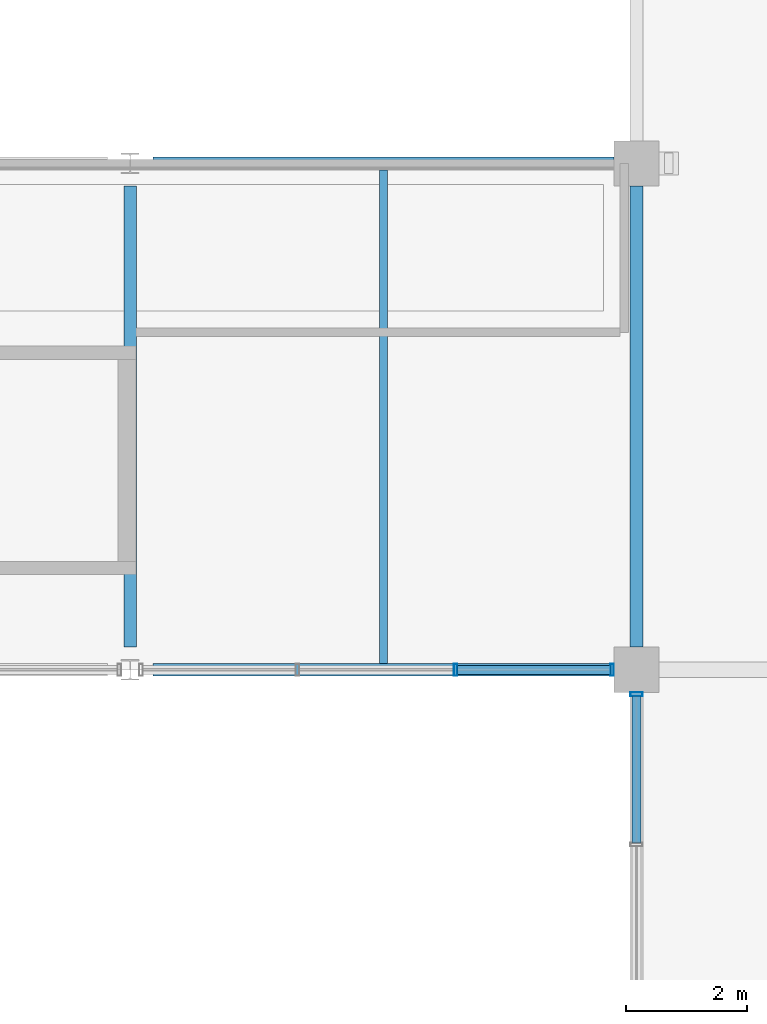
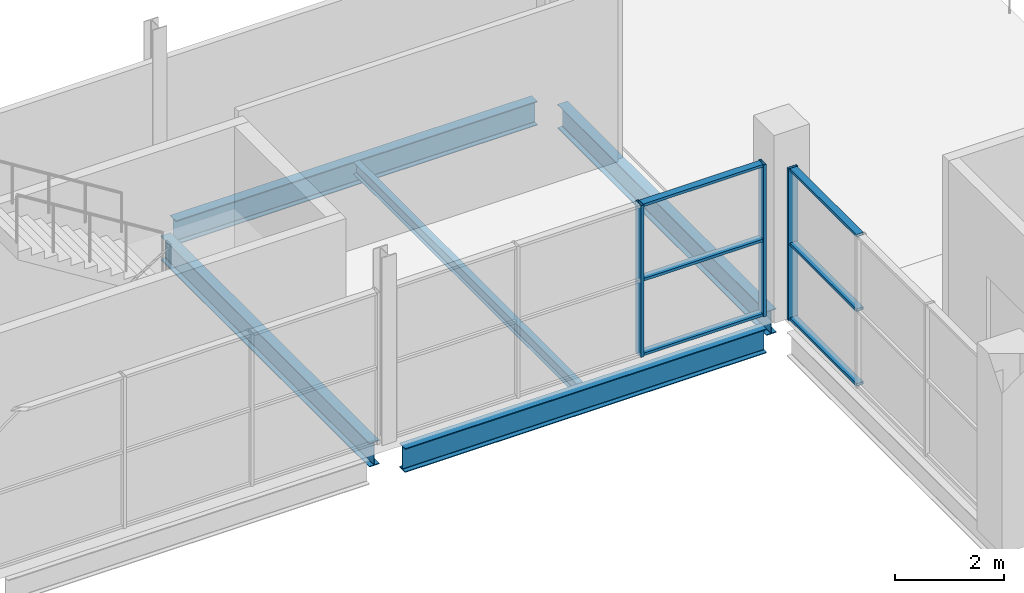
# One storey, part 26 of 161: 9 members, 5 beams, 2 elements without a shape of their own.
"""IFC4 building model written with IfcOpenShell, lengths in metres."""

from ifc_helpers import new_model, si_unit, direction, frame, origin, origin_2d, place, context, subcontext, project, spatial, hollow_rectangle, i_section, extrude, material, material_profile, profile_set, type_object, element, aggregate, save


model = new_model("IFC4")

# Units and contexts
model_context = context("Model", 3, precision=1e-05, world=origin(), true_north=direction((0.0, 1.0)))
body_context = subcontext(model_context, "Body", "Model", "MODEL_VIEW")
ifc_project = project(units=[si_unit("LENGTHUNIT", "METRE"), si_unit("AREAUNIT", "SQUARE_METRE"), si_unit("VOLUMEUNIT", "CUBIC_METRE"), si_unit("PLANEANGLEUNIT", "RADIAN"), si_unit("MASSUNIT", "GRAM", prefix="KILO"), si_unit("THERMODYNAMICTEMPERATUREUNIT", "KELVIN")], contexts=[model_context])

# Site, building, storey
site_placement = place(None, origin())
site = spatial("IfcSite", under=ifc_project, at=site_placement, CompositionType="ELEMENT")
building_placement = place(site_placement, origin())
building = spatial("IfcBuilding", under=site, at=building_placement, Name="Nduvali Passage Aquatics Centre", CompositionType="ELEMENT")
storey_placement = place(building_placement, frame((0.0, 0.0, 4.800048828125)))
storey = spatial("IfcBuildingStorey", under=building, at=storey_placement, Name="L01", CompositionType="ELEMENT", Elevation=4.800048828125)

# Curtain wall, member
ifc_material_1 = material(Name="Aluminium EN AW-6063 T6", Category="aluminium")
curtain_wall_type_1 = type_object("IfcCurtainWallType", Name="ENV-CW-HALL", PredefinedType="NOTDEFINED", material=ifc_material_1)
curtain_wall_1_placement = place(storey_placement, origin())
curtain_wall_1 = element("IfcCurtainWall", 1, at=curtain_wall_1_placement, inside=storey, type_object=curtain_wall_type_1, Name="L01 West Pool Hall Gallery Glazing 002", PredefinedType="NOTDEFINED")
ifc_material_profile_1 = material_profile(ifc_material_1, hollow_rectangle(XDim=0.06005859375, YDim=0.199951171875, WallThickness=0.00390625, at=origin_2d()), Name="ALU MULLION 60x200x4")
ifc_profile_set_1 = profile_set([ifc_material_profile_1], Name="Aluminium EN AW-6063 T6")
member_type_1 = type_object("IfcMemberType", Name="ENV-MEM-MUL80", PredefinedType="MULLION", material=ifc_profile_set_1)
member_1_placement = place(storey_placement, frame((25.199951171875, 33.195068359375, 0.0), z_axis=(0.0, 0.0, 1.0), x_axis=(0.0, 1.0, 0.0)))
member_1 = element("IfcMember", 2, at=member_1_placement, type_object=member_type_1, Name="West Pool Hall Gallery Glazing Mullion 4", PredefinedType="MULLION", context=body_context, shape_type="SweptSolid", body=[
    extrude(hollow_rectangle(XDim=0.06005859375, YDim=0.199951171875, WallThickness=0.00390625, at=origin_2d()), origin(), (0.0, 0.0, 1.0), 3.396484375),
])

# Curtain wall, members
curtain_wall_type_2 = type_object("IfcCurtainWallType", Name="ENV-CW-DIVE", PredefinedType="NOTDEFINED", material=ifc_material_1)
curtain_wall_2_placement = place(storey_placement, origin())
curtain_wall_2 = element("IfcCurtainWall", 3, at=curtain_wall_2_placement, inside=storey, type_object=curtain_wall_type_2, Name="L01 Diving Gallery Clerestory CW 151", PredefinedType="NOTDEFINED")
member_2_placement = place(storey_placement, frame((22.199951171875, 33.60009765625, 0.0), z_axis=(0.0, 0.0, 1.0), x_axis=(1.0, 0.0, 0.0)))
member_2 = element("IfcMember", 4, at=member_2_placement, type_object=member_type_1, Name="Diving Gallery Clerestory CW Mullion 3", PredefinedType="MULLION", context=body_context, shape_type="SweptSolid", body=[
    extrude(hollow_rectangle(XDim=0.06005859375, YDim=0.199951171875, WallThickness=0.00390625, at=origin_2d()), origin(), (0.0, 0.0, 1.0), 3.396484375),
])
member_3_placement = place(storey_placement, frame((24.794921875, 33.60009765625, 0.0), z_axis=(0.0, 0.0, 1.0), x_axis=(1.0, 0.0, 0.0)))
member_3 = element("IfcMember", 5, at=member_3_placement, type_object=member_type_1, Name="Diving Gallery Clerestory CW Mullion 4", PredefinedType="MULLION", context=body_context, shape_type="SweptSolid", body=[
    extrude(hollow_rectangle(XDim=0.06005859375, YDim=0.199951171875, WallThickness=0.00390625, at=origin_2d()), origin(), (0.0, 0.0, 1.0), 3.396484375),
])

# Member
ifc_material_profile_2 = material_profile(ifc_material_1, hollow_rectangle(XDim=0.14990234375, YDim=0.06005859375, WallThickness=0.00390625, at=origin_2d()), Name="ALU TRANSOM 150x60x4")
ifc_profile_set_2 = profile_set([ifc_material_profile_2], Name="Aluminium EN AW-6063 T6")
member_type_2 = type_object("IfcMemberType", Name="ENV-MEM-TRN80", PredefinedType="USERDEFINED", material=ifc_profile_set_2)
member_4_placement = place(storey_placement, frame((25.199951171875, 30.72998046875, 0.030029296875), z_axis=(0.0, 1.0, 0.0), x_axis=(-1.0, 0.0, 0.0)))
member_4 = element("IfcMember", 6, at=member_4_placement, type_object=member_type_2, Name="West Pool Hall Gallery Glazing Transom B3-R0", ObjectType="TRANSOM", PredefinedType="USERDEFINED", context=body_context, shape_type="SweptSolid", body=[
    extrude(hollow_rectangle(XDim=0.14990234375, YDim=0.06005859375, WallThickness=0.00390625, at=origin_2d()), origin(), (0.0, 0.0, 1.0), 2.43505859375),
])

member_5_placement = place(storey_placement, frame((25.199951171875, 30.72998046875, 1.6982421875), z_axis=(0.0, 1.0, 0.0), x_axis=(-1.0, 0.0, 0.0)))
member_5 = element("IfcMember", 7, at=member_5_placement, type_object=member_type_2, Name="West Pool Hall Gallery Glazing Transom B3-R1", ObjectType="TRANSOM", PredefinedType="USERDEFINED", context=body_context, shape_type="SweptSolid", body=[
    extrude(hollow_rectangle(XDim=0.14990234375, YDim=0.06005859375, WallThickness=0.00390625, at=origin_2d()), origin(), (0.0, 0.0, 1.0), 2.43505859375),
])

member_6_placement = place(storey_placement, frame((25.199951171875, 30.72998046875, 3.366455078125), z_axis=(0.0, 1.0, 0.0), x_axis=(-1.0, 0.0, 0.0)))
member_6 = element("IfcMember", 8, at=member_6_placement, type_object=member_type_2, Name="West Pool Hall Gallery Glazing Transom B3-R2", ObjectType="TRANSOM", PredefinedType="USERDEFINED", context=body_context, shape_type="SweptSolid", body=[
    extrude(hollow_rectangle(XDim=0.14990234375, YDim=0.06005859375, WallThickness=0.00390625, at=origin_2d()), origin(), (0.0, 0.0, 1.0), 2.43505859375),
])

aggregate(curtain_wall_1, [member_1, member_4, member_5, member_6])

member_7_placement = place(storey_placement, frame((22.22998046875, 33.60009765625, 0.030029296875), z_axis=(1.0, 0.0, 0.0), x_axis=(0.0, 1.0, 0.0)))
member_7 = element("IfcMember", 9, at=member_7_placement, type_object=member_type_2, Name="Diving Gallery Clerestory CW Transom B3-R0", ObjectType="TRANSOM", PredefinedType="USERDEFINED", context=body_context, shape_type="SweptSolid", body=[
    extrude(hollow_rectangle(XDim=0.14990234375, YDim=0.06005859375, WallThickness=0.00390625, at=origin_2d()), origin(), (0.0, 0.0, 1.0), 2.534912109375),
])

member_8_placement = place(storey_placement, frame((22.22998046875, 33.60009765625, 1.6982421875), z_axis=(1.0, 0.0, 0.0), x_axis=(0.0, 1.0, 0.0)))
member_8 = element("IfcMember", 10, at=member_8_placement, type_object=member_type_2, Name="Diving Gallery Clerestory CW Transom B3-R1", ObjectType="TRANSOM", PredefinedType="USERDEFINED", context=body_context, shape_type="SweptSolid", body=[
    extrude(hollow_rectangle(XDim=0.14990234375, YDim=0.06005859375, WallThickness=0.00390625, at=origin_2d()), origin(), (0.0, 0.0, 1.0), 2.534912109375),
])

member_9_placement = place(storey_placement, frame((22.22998046875, 33.60009765625, 3.366455078125), z_axis=(1.0, 0.0, 0.0), x_axis=(0.0, 1.0, 0.0)))
member_9 = element("IfcMember", 11, at=member_9_placement, type_object=member_type_2, Name="Diving Gallery Clerestory CW Transom B3-R2", ObjectType="TRANSOM", PredefinedType="USERDEFINED", context=body_context, shape_type="SweptSolid", body=[
    extrude(hollow_rectangle(XDim=0.14990234375, YDim=0.06005859375, WallThickness=0.00390625, at=origin_2d()), origin(), (0.0, 0.0, 1.0), 2.534912109375),
])

aggregate(curtain_wall_2, [member_2, member_3, member_7, member_8, member_9])

# Beams
ifc_material_2 = material(Name="Steel S355", Category="steel")
ifc_material_profile_3 = material_profile(ifc_material_2, i_section(OverallWidth=0.210693359375, OverallDepth=0.53955078125, WebThickness=0.01171875, FlangeThickness=0.018798828125, FilletRadius=0.0126953125, at=origin_2d()), Name="UKB 533x210x109")
ifc_profile_set_3 = profile_set([ifc_material_profile_3], Name="Steel S355")
beam_type_1 = type_object("IfcBeamType", Name="STR-BM-UKB533", PredefinedType="BEAM", material=ifc_profile_set_3)
for number, where, z_axis, x_axis, name in (
    (12, (17.175048828125, 33.60009765625, -0.553955078125), (1.0, 0.0, 0.0), (0.0, 1.0, 0.0), "L01 Primary X-Girder B6-0458"),
    (13, (17.175048828125, 42.0, -0.553955078125), (1.0, 0.0, 0.0), (0.0, 1.0, 0.0), "L01 Primary X-Girder B6-0474"),
    (14, (16.800048828125, 33.97509765625, -0.553955078125), (0.0, 1.0, 0.0), (-1.0, 0.0, 0.0), "L01 Primary Y-Girder B6-0566"),
):
    element("IfcBeam", number, at=place(storey_placement, frame(where, z_axis=z_axis, x_axis=x_axis)), inside=storey, type_object=beam_type_1, Name=name, PredefinedType="BEAM", context=body_context, shape_type="SweptSolid", body=[
        extrude(i_section(OverallWidth=0.210693359375, OverallDepth=0.53955078125, WebThickness=0.01171875, FlangeThickness=0.018798828125, FilletRadius=0.0126953125, at=origin_2d()), origin(), (0.0, 0.0, 1.0), 7.64990234375),
    ])
ifc_material_profile_4 = material_profile(ifc_material_2, i_section(OverallWidth=0.210693359375, OverallDepth=0.53955078125, WebThickness=0.01171875, FlangeThickness=0.018798828125, FilletRadius=0.0126953125, at=origin_2d()), Name="UKB 533x210x109")
ifc_profile_set_4 = profile_set([ifc_material_profile_4], Name="Steel S355")
beam_type_2 = type_object("IfcBeamType", Name="STR-BM-UKB533-EXT", PredefinedType="BEAM", material=ifc_profile_set_4)
beam_1_placement = place(storey_placement, frame((25.199951171875, 33.97509765625, -0.553955078125), z_axis=(0.0, 1.0, 0.0), x_axis=(-1.0, 0.0, 0.0)))
element("IfcBeam", 15, at=beam_1_placement, inside=storey, type_object=beam_type_2, Name="L01 Primary Y-Girder B6E-0569", PredefinedType="BEAM", context=body_context, shape_type="SweptSolid", body=[
    extrude(i_section(OverallWidth=0.210693359375, OverallDepth=0.53955078125, WebThickness=0.01171875, FlangeThickness=0.018798828125, FilletRadius=0.0126953125, at=origin_2d()), origin(), (0.0, 0.0, 1.0), 7.64990234375),
])
ifc_material_profile_5 = material_profile(ifc_material_2, i_section(OverallWidth=0.135009765625, OverallDepth=0.27001953125, WebThickness=0.006591796875, FlangeThickness=0.01025390625, FilletRadius=0.014892578125, at=origin_2d()), Name="IPE 270")
ifc_profile_set_5 = profile_set([ifc_material_profile_5], Name="Steel S355")
beam_type_3 = type_object("IfcBeamType", Name="STR-JST-IPE270", PredefinedType="JOIST", material=ifc_profile_set_5)
beam_2_placement = place(storey_placement, frame((21.0, 33.705322265625, -0.4189453125), z_axis=(0.0, 1.0, 0.0), x_axis=(-1.0, 0.0, 0.0)))
element("IfcBeam", 16, at=beam_2_placement, inside=storey, type_object=beam_type_3, Name="L01 Secondary Joist J8-0748", PredefinedType="JOIST", context=body_context, shape_type="SweptSolid", body=[
    extrude(i_section(OverallWidth=0.135009765625, OverallDepth=0.27001953125, WebThickness=0.006591796875, FlangeThickness=0.01025390625, FilletRadius=0.014892578125, at=origin_2d()), origin(), (0.0, 0.0, 1.0), 8.189208984375),
])

save(model, "model.ifc")
